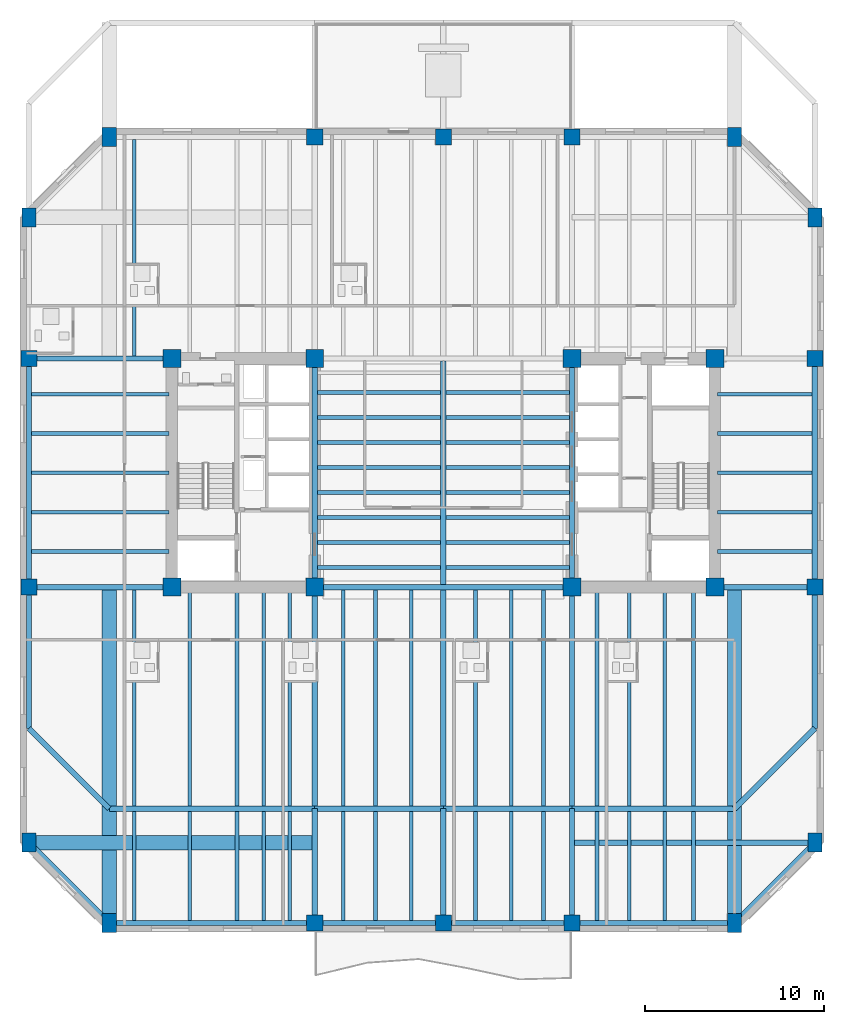
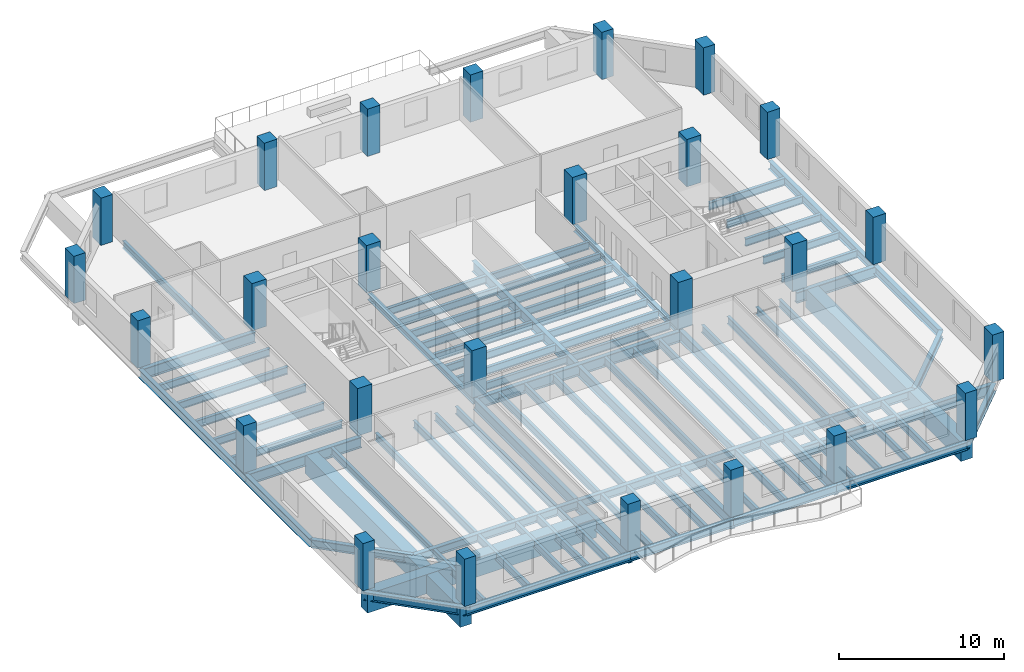
# One storey, part 1 of 11: 75 beams, 26 columns.
"""IFC4 building model written with IfcOpenShell, lengths in metres."""

import ifcopenshell
import ifcopenshell.guid

model = None  # the IFC model being written
_history = None  # IfcOwnerHistory: only IFC2X3 demands one
_inside = {}  # id of a spatial element -> (the spatial element, [elements in it])
_under = {}  # id of a project, library or spatial element -> (it, [spatial elements below it])
_declared = {}  # id of a project -> (the project, [libraries it declares])
_typed = {}  # id of a type object -> (the type object, [elements of that type])
_made_of = {}  # id of a material, layer set ... -> (it, [elements and type objects made of it])


def new_model(schema):
    """Start an empty IFC model of exactly this schema.

    Asked for "IFC4X3", IfcOpenShell would pick the latest addendum, in which some entities
    have other attributes; the version numbers below select the first issue.
    IFC2X3 requires an IfcOwnerHistory on every rooted entity: one is made here for all.
    """
    global model, _history
    if schema == "IFC4X3":
        model = ifcopenshell.file(schema_version=(4, 3, 0, 0))
    else:
        model = ifcopenshell.file(schema=schema)
    _inside.clear()
    _under.clear()
    _declared.clear()
    _typed.clear()
    _made_of.clear()
    _history = None
    if model.schema == "IFC2X3":
        org = make("IfcOrganization", Name="unknown")
        user = make(
            "IfcPersonAndOrganization",
            ThePerson=make("IfcPerson", FamilyName="unknown"),
            TheOrganization=org,
        )
        app = make(
            "IfcApplication",
            ApplicationDeveloper=org,
            Version="unknown",
            ApplicationFullName="unknown",
            ApplicationIdentifier="unknown",
        )
        _history = make(
            "IfcOwnerHistory",
            OwningUser=user,
            OwningApplication=app,
            ChangeAction="ADDED",
            CreationDate=0,
        )
    return model


def make(cls, **values):
    """One entity of the class cls with the attributes given. An attribute that is None is left unset."""
    return model.create_entity(
        cls, **{name: value for name, value in values.items() if value is not None}
    )


def rooted(cls, **values):
    """An entity with a GlobalId (a new one), such as an element, a storey or a relation."""
    return make(cls, GlobalId=ifcopenshell.guid.new(), OwnerHistory=_history, **values)


def si_unit(unit_type, name, prefix=None):
    """IfcSIUnit, for example si_unit("LENGTHUNIT", "METRE", prefix="MILLI")."""
    return make("IfcSIUnit", UnitType=unit_type, Prefix=prefix, Name=name)


def assignment(units):
    """IfcUnitAssignment: the units of a project."""
    return None if units is None else make("IfcUnitAssignment", Units=units)


def point(xyz):
    """IfcCartesianPoint."""
    return None if xyz is None else make("IfcCartesianPoint", Coordinates=xyz)


def direction(xyz):
    """IfcDirection."""
    return None if xyz is None else make("IfcDirection", DirectionRatios=xyz)


def frame(location, z_axis=None, x_axis=None):
    """IfcAxis2Placement3D, a coordinate frame: its origin and axes. An axis left out is left unset."""
    return make(
        "IfcAxis2Placement3D",
        Location=point(location),
        Axis=direction(z_axis),
        RefDirection=direction(x_axis),
    )


def frame_2d(location, x_axis=None):
    """IfcAxis2Placement2D, a coordinate frame in the plane: its origin and x axis."""
    return make(
        "IfcAxis2Placement2D", Location=point(location), RefDirection=direction(x_axis)
    )


def origin():
    """The frame at (0, 0, 0) with its axes left unset."""
    return frame((0.0, 0.0, 0.0))


def origin_2d():
    """The frame at (0, 0) in the plane with its x axis left unset."""
    return frame_2d((0.0, 0.0))


def place(relative_to, where):
    """IfcLocalPlacement: puts the frame where relative to a parent placement (None: the world)."""
    return make(
        "IfcLocalPlacement", PlacementRelTo=relative_to, RelativePlacement=where
    )


def context(
    kind, dimensions, precision=None, world=None, true_north=None, identifier=None
):
    """IfcGeometricRepresentationContext, for example the 3D "Model" context."""
    return make(
        "IfcGeometricRepresentationContext",
        ContextIdentifier=identifier,
        ContextType=kind,
        CoordinateSpaceDimension=dimensions,
        Precision=precision,
        WorldCoordinateSystem=world,
        TrueNorth=true_north,
    )


def subcontext(parent, identifier, kind, view, scale=None):
    """IfcGeometricRepresentationSubContext, for example "Body" below "Model"."""
    return make(
        "IfcGeometricRepresentationSubContext",
        ContextIdentifier=identifier,
        ContextType=kind,
        ParentContext=parent,
        TargetScale=scale,
        TargetView=view,
    )


def project(units=None, contexts=None):
    """IfcProject with its units and contexts."""
    return rooted(
        "IfcProject",
        Name="project",
        RepresentationContexts=contexts,
        UnitsInContext=assignment(units),
    )


def spatial(cls, under=None, at=None, **own):
    """A site, building, storey or space (cls), placed at a placement, below another one or the project."""
    s = rooted(cls, ObjectPlacement=at, **own)
    if under is not None:
        _under.setdefault(under.id(), (under, []))[1].append(s)
    return s


def profile(cls, at=None, kind="AREA", **sizes):
    """A parametric profile (cls). Its sizes go by their IFC names, for example OverallWidth=200.0."""
    return make(cls, ProfileType=kind, Position=at, **sizes)


def rectangle(**sizes):
    """IfcRectangleProfileDef."""
    return profile("IfcRectangleProfileDef", **sizes)


def i_section(**sizes):
    """IfcIShapeProfileDef."""
    return profile("IfcIShapeProfileDef", **sizes)


def extrude(swept, where, along, depth):
    """IfcExtrudedAreaSolid: the profile swept, set in the frame where, extruded along a direction by depth."""
    return make(
        "IfcExtrudedAreaSolid",
        SweptArea=swept,
        Position=where,
        ExtrudedDirection=direction(along),
        Depth=depth,
    )


def shape(context_of_items, identifier, shape_type, items):
    """IfcShapeRepresentation: the items that make up one representation, for example the "Body"."""
    return make(
        "IfcShapeRepresentation",
        ContextOfItems=context_of_items,
        RepresentationIdentifier=identifier,
        RepresentationType=shape_type,
        Items=items,
    )


def material(Name=None, Category=None):
    """IfcMaterial."""
    return make("IfcMaterial", Name=Name, Category=Category)


def material_profile(
    of_material, cross_section, Name=None, Category=None, Priority=None
):
    """IfcMaterialProfile: a cross section and its material."""
    return make(
        "IfcMaterialProfile",
        Name=Name,
        Material=of_material,
        Profile=cross_section,
        Priority=Priority,
        Category=Category,
    )


def profile_set(profiles, Name=None, composite=None):
    """IfcMaterialProfileSet."""
    return make(
        "IfcMaterialProfileSet",
        Name=Name,
        MaterialProfiles=profiles,
        CompositeProfile=composite,
    )


def made_of(thing, what):
    """Note that an element or type object is made of a material, layer set ...; save() writes the relation."""
    if what is not None:
        _made_of.setdefault(what.id(), (what, []))[1].append(thing)
    return thing


def type_object(cls, material=None, **own):
    """A type object (cls), such as IfcWallType, which elements share."""
    return made_of(rooted(cls, **own), material)


def element(
    cls,
    number,
    at=None,
    inside=None,
    cuts=None,
    type_object=None,
    material=None,
    context=None,
    identifier="Body",
    shape_type=None,
    held_by="IfcProductDefinitionShape",
    body=None,
    shapes=None,
    **own,
):
    """One element of the class cls, such as IfcWall. Its Tag is "e" and its number.

    at: its placement. inside: the storey or other place that contains it. cuts: it is an
    opening in that element (IfcRelVoidsElement). A single representation is given by context,
    identifier, shape_type and body (its items); several are given by shapes. held_by: the class
    of the entity that holds the representations. save() writes the other relations.
    """
    e = rooted(cls, Tag="e%d" % number, ObjectPlacement=at, **own)
    if body is not None:
        shapes = [shape(context, identifier, shape_type, body)]
    if shapes is not None:
        e.Representation = make(held_by, Representations=shapes)
    if inside is not None:
        _inside.setdefault(inside.id(), (inside, []))[1].append(e)
    if cuts is not None:
        rooted(
            "IfcRelVoidsElement", RelatingBuildingElement=cuts, RelatedOpeningElement=e
        )
    if type_object is not None:
        _typed.setdefault(type_object.id(), (type_object, []))[1].append(e)
    return made_of(e, material)


def aggregate(whole, parts):
    """IfcRelAggregates: a whole, such as a stair, and the parts it consists of."""
    return rooted("IfcRelAggregates", RelatingObject=whole, RelatedObjects=parts)


def save(model, path):
    """Write the relations noted so far, then the file.

    IfcRelAggregates (storeys below a building ...), IfcRelContainedInSpatialStructure (elements
    in a storey), IfcRelDefinesByType, IfcRelAssociatesMaterial and IfcRelDeclares: one each for
    every whole, place, type object, material and project.
    """
    for whole, parts in _under.values():
        aggregate(whole, parts)
    for where, things in _inside.values():
        rooted(
            "IfcRelContainedInSpatialStructure",
            RelatedElements=things,
            RelatingStructure=where,
        )
    for kind, things in _typed.values():
        rooted("IfcRelDefinesByType", RelatedObjects=things, RelatingType=kind)
    for what, things in _made_of.values():
        rooted("IfcRelAssociatesMaterial", RelatedObjects=things, RelatingMaterial=what)
    for by, libraries in _declared.values():
        rooted("IfcRelDeclares", RelatingContext=by, RelatedDefinitions=libraries)
    model.write(path)


model = new_model("IFC4")

# Units and contexts
model_context = context("Model", 3, precision=1e-05, world=origin(), true_north=direction((0.0, 1.0)))
body_context = subcontext(model_context, "Body", "Model", "MODEL_VIEW")
ifc_project = project(units=[si_unit("LENGTHUNIT", "METRE"), si_unit("AREAUNIT", "SQUARE_METRE"), si_unit("VOLUMEUNIT", "CUBIC_METRE"), si_unit("PLANEANGLEUNIT", "RADIAN"), si_unit("MASSUNIT", "GRAM", prefix="KILO")], contexts=[model_context])

# Site, building, storey
site_placement = place(None, origin())
site = spatial("IfcSite", under=ifc_project, at=site_placement, CompositionType="ELEMENT")
building_placement = place(site_placement, origin())
building = spatial("IfcBuilding", under=site, at=building_placement, Name="Kranthara Brick Stack", CompositionType="ELEMENT")
storey_placement = place(building_placement, frame((0.0, 0.0, 120.300048828125)))
storey = spatial("IfcBuildingStorey", under=building, at=storey_placement, Name="L29", CompositionType="ELEMENT", Elevation=120.300048828125)

# Columns
ifc_material_1 = material(Name="Concrete C60/75", Category="concrete")
ifc_material_profile_1 = material_profile(ifc_material_1, rectangle(XDim=0.800048828125, YDim=1.050048828125, at=origin_2d()), Name="RC 800x1050")
ifc_profile_set_1 = profile_set([ifc_material_profile_1], Name="Concrete C60/75")
column_type_1 = type_object("IfcColumnType", Name="COL-CHAM-800x1050", PredefinedType="COLUMN", material=ifc_profile_set_1)
for number, where, z_axis, x_axis, name in (
    (1, (9.300048828125, 2.0, 0.0), (0.0, 0.0, 1.0), (1.0, 0.0, 0.0), "L29 Column 09"),
    (2, (9.300048828125, 46.0, 0.0), (0.0, 0.0, 1.0), (1.0, 0.0, 0.0), "L29 Column 10"),
    (3, (44.300048828125, 2.0, 0.0), (0.0, 0.0, 1.0), (1.0, 0.0, 0.0), "L29 Column 17"),
    (4, (44.300048828125, 46.0, 0.0), (0.0, 0.0, 1.0), (1.0, 0.0, 0.0), "L29 Column 18"),
    (5, (4.800048828125, 6.5, 0.0), (0.0, 0.0, 1.0), (1.0, 0.0, 0.0), "L29 Column 19"),
    (6, (48.800048828125, 6.5, 0.0), (0.0, 0.0, 1.0), (1.0, 0.0, 0.0), "L29 Column 20"),
    (7, (4.800048828125, 41.5, 0.0), (0.0, 0.0, 1.0), (1.0, 0.0, 0.0), "L29 Column 25"),
    (8, (48.800048828125, 41.5, 0.0), (0.0, 0.0, 1.0), (1.0, 0.0, 0.0), "L29 Column 26"),
):
    element("IfcColumn", number, at=place(storey_placement, frame(where, z_axis=z_axis, x_axis=x_axis)), inside=storey, type_object=column_type_1, Name=name, PredefinedType="COLUMN", context=body_context, shape_type="SweptSolid", body=[
        extrude(rectangle(XDim=0.800048828125, YDim=1.050048828125, at=origin_2d()), origin(), (0.0, 0.0, 1.0), 3.5),
    ])
ifc_material_2 = material(Name="Concrete C60/75", Category="concrete")
ifc_material_profile_2 = material_profile(ifc_material_2, rectangle(XDim=1.0, YDim=1.0, at=origin_2d()), Name="RC 1000x1000")
ifc_profile_set_2 = profile_set([ifc_material_profile_2], Name="Concrete C60/75")
column_type_2 = type_object("IfcColumnType", Name="COL-CORE-1000", PredefinedType="COLUMN", material=ifc_profile_set_2)
for number, where, z_axis, x_axis, name in (
    (9, (12.800048828125, 20.800048828125, 0.0), (0.0, 0.0, 1.0), (1.0, 0.0, 0.0), "L29 Column 01"),
    (10, (20.800048828125, 20.800048828125, 0.0), (0.0, 0.0, 1.0), (1.0, 0.0, 0.0), "L29 Column 02"),
    (11, (12.800048828125, 33.60009765625, 0.0), (0.0, 0.0, 1.0), (1.0, 0.0, 0.0), "L29 Column 03"),
    (12, (20.800048828125, 33.60009765625, 0.0), (0.0, 0.0, 1.0), (1.0, 0.0, 0.0), "L29 Column 04"),
    (13, (35.199951171875, 20.800048828125, 0.0), (0.0, 0.0, 1.0), (1.0, 0.0, 0.0), "L29 Column 05"),
    (14, (43.199951171875, 20.800048828125, 0.0), (0.0, 0.0, 1.0), (1.0, 0.0, 0.0), "L29 Column 06"),
    (15, (35.199951171875, 33.60009765625, 0.0), (0.0, 0.0, 1.0), (1.0, 0.0, 0.0), "L29 Column 07"),
    (16, (43.199951171875, 33.60009765625, 0.0), (0.0, 0.0, 1.0), (1.0, 0.0, 0.0), "L29 Column 08"),
):
    element("IfcColumn", number, at=place(storey_placement, frame(where, z_axis=z_axis, x_axis=x_axis)), inside=storey, type_object=column_type_2, Name=name, PredefinedType="COLUMN", context=body_context, shape_type="SweptSolid", body=[
        extrude(rectangle(XDim=1.0, YDim=1.0, at=origin_2d()), origin(), (0.0, 0.0, 1.0), 3.5),
    ])
ifc_material_3 = material(Name="Concrete C60/75", Category="concrete")
ifc_material_profile_3 = material_profile(ifc_material_3, rectangle(XDim=0.89990234375, YDim=0.89990234375, at=origin_2d()), Name="RC 900x900")
ifc_profile_set_3 = profile_set([ifc_material_profile_3], Name="Concrete C60/75")
column_type_3 = type_object("IfcColumnType", Name="COL-PER-900", PredefinedType="COLUMN", material=ifc_profile_set_3)
for number, where, z_axis, x_axis, name in (
    (17, (20.800048828125, 2.0, 0.0), (0.0, 0.0, 1.0), (1.0, 0.0, 0.0), "L29 Column 11"),
    (18, (20.800048828125, 46.0, 0.0), (0.0, 0.0, 1.0), (1.0, 0.0, 0.0), "L29 Column 12"),
    (19, (28.0, 2.0, 0.0), (0.0, 0.0, 1.0), (1.0, 0.0, 0.0), "L29 Column 13"),
    (20, (28.0, 46.0, 0.0), (0.0, 0.0, 1.0), (1.0, 0.0, 0.0), "L29 Column 14"),
    (21, (35.199951171875, 2.0, 0.0), (0.0, 0.0, 1.0), (1.0, 0.0, 0.0), "L29 Column 15"),
    (22, (35.199951171875, 46.0, 0.0), (0.0, 0.0, 1.0), (1.0, 0.0, 0.0), "L29 Column 16"),
    (23, (4.800048828125, 20.800048828125, 0.0), (0.0, 0.0, 1.0), (1.0, 0.0, 0.0), "L29 Column 21"),
    (24, (48.800048828125, 20.800048828125, 0.0), (0.0, 0.0, 1.0), (1.0, 0.0, 0.0), "L29 Column 22"),
    (25, (4.800048828125, 33.60009765625, 0.0), (0.0, 0.0, 1.0), (1.0, 0.0, 0.0), "L29 Column 23"),
    (26, (48.800048828125, 33.60009765625, 0.0), (0.0, 0.0, 1.0), (1.0, 0.0, 0.0), "L29 Column 24"),
):
    element("IfcColumn", number, at=place(storey_placement, frame(where, z_axis=z_axis, x_axis=x_axis)), inside=storey, type_object=column_type_3, Name=name, PredefinedType="COLUMN", context=body_context, shape_type="SweptSolid", body=[
        extrude(rectangle(XDim=0.89990234375, YDim=0.89990234375, at=origin_2d()), origin(), (0.0, 0.0, 1.0), 3.5),
    ])

# Beams
ifc_material_4 = material(Name="Steel S355", Category="steel")
ifc_material_profile_4 = material_profile(ifc_material_4, i_section(OverallWidth=0.2099609375, OverallDepth=0.550048828125, WebThickness=0.010986328125, FlangeThickness=0.01708984375, at=origin_2d()), Name="IPE 550")
ifc_profile_set_4 = profile_set([ifc_material_profile_4], Name="Steel S355")
beam_type_1 = type_object("IfcBeamType", Name="BM-JST-IPE550", PredefinedType="JOIST", material=ifc_profile_set_4)
for number, where, z_axis, x_axis, name in (
    (27, (20.949951171875, 21.89990234375, -0.72509765625), (1.0, 0.0, 0.0), (0.0, 1.0, 0.0), "L29 Central Floor Joist 057"),
    (28, (28.14990234375, 21.89990234375, -0.72509765625), (1.0, 0.0, 0.0), (0.0, 1.0, 0.0), "L29 Central Floor Joist 058"),
    (29, (20.949951171875, 23.300048828125, -0.72509765625), (1.0, 0.0, 0.0), (0.0, 1.0, 0.0), "L29 Central Floor Joist 059"),
    (30, (28.14990234375, 23.300048828125, -0.72509765625), (1.0, 0.0, 0.0), (0.0, 1.0, 0.0), "L29 Central Floor Joist 060"),
    (31, (20.949951171875, 24.699951171875, -0.72509765625), (1.0, 0.0, 0.0), (0.0, 1.0, 0.0), "L29 Central Floor Joist 061"),
    (32, (28.14990234375, 24.699951171875, -0.72509765625), (1.0, 0.0, 0.0), (0.0, 1.0, 0.0), "L29 Central Floor Joist 062"),
    (33, (20.949951171875, 26.10009765625, -0.72509765625), (1.0, 0.0, 0.0), (0.0, 1.0, 0.0), "L29 Central Floor Joist 063"),
    (34, (28.14990234375, 26.10009765625, -0.72509765625), (1.0, 0.0, 0.0), (0.0, 1.0, 0.0), "L29 Central Floor Joist 064"),
    (35, (20.949951171875, 27.5, -0.72509765625), (1.0, 0.0, 0.0), (0.0, 1.0, 0.0), "L29 Central Floor Joist 065"),
    (36, (28.14990234375, 27.5, -0.72509765625), (1.0, 0.0, 0.0), (0.0, 1.0, 0.0), "L29 Central Floor Joist 066"),
    (37, (20.949951171875, 28.89990234375, -0.72509765625), (1.0, 0.0, 0.0), (0.0, 1.0, 0.0), "L29 Central Floor Joist 067"),
    (38, (28.14990234375, 28.89990234375, -0.72509765625), (1.0, 0.0, 0.0), (0.0, 1.0, 0.0), "L29 Central Floor Joist 068"),
    (39, (20.949951171875, 30.300048828125, -0.72509765625), (1.0, 0.0, 0.0), (0.0, 1.0, 0.0), "L29 Central Floor Joist 069"),
    (40, (28.14990234375, 30.300048828125, -0.72509765625), (1.0, 0.0, 0.0), (0.0, 1.0, 0.0), "L29 Central Floor Joist 070"),
    (41, (20.949951171875, 31.699951171875, -0.72509765625), (1.0, 0.0, 0.0), (0.0, 1.0, 0.0), "L29 Central Floor Joist 071"),
    (42, (28.14990234375, 31.699951171875, -0.72509765625), (1.0, 0.0, 0.0), (0.0, 1.0, 0.0), "L29 Central Floor Joist 072"),
):
    element("IfcBeam", number, at=place(storey_placement, frame(where, z_axis=z_axis, x_axis=x_axis)), inside=storey, type_object=beam_type_1, Name=name, PredefinedType="JOIST", context=body_context, shape_type="SweptSolid", body=[
        extrude(i_section(OverallWidth=0.2099609375, OverallDepth=0.550048828125, WebThickness=0.010986328125, FlangeThickness=0.01708984375, at=origin_2d()), origin(), (0.0, 0.0, 1.0), 6.900146484375),
    ])
beam_1_placement = place(storey_placement, frame((10.699951171875, 2.14990234375, -0.72509765625), z_axis=(0.0, 1.0, 0.0), x_axis=(-1.0, 0.0, 0.0)))
element("IfcBeam", 43, at=beam_1_placement, inside=storey, type_object=beam_type_1, Name="L29 South Wing Floor Joist 075", PredefinedType="JOIST", context=body_context, shape_type="SweptSolid", body=[
    extrude(i_section(OverallWidth=0.2099609375, OverallDepth=0.550048828125, WebThickness=0.010986328125, FlangeThickness=0.01708984375, at=origin_2d()), origin(), (0.0, 0.0, 1.0), 18.5),
])
beam_2_placement = place(storey_placement, frame((10.699951171875, 33.75, -0.72509765625), z_axis=(0.0, 1.0, 0.0), x_axis=(-1.0, 0.0, 0.0)))
element("IfcBeam", 44, at=beam_2_placement, inside=storey, type_object=beam_type_1, Name="L29 North Wing Floor Joist 076", PredefinedType="JOIST", context=body_context, shape_type="SweptSolid", body=[
    extrude(i_section(OverallWidth=0.2099609375, OverallDepth=0.550048828125, WebThickness=0.010986328125, FlangeThickness=0.01708984375, at=origin_2d()), origin(), (0.0, 0.0, 1.0), 12.10009765625),
])
for number, where, z_axis, x_axis, name in (
    (45, (13.800048828125, 2.14990234375, -0.72509765625), (0.0, 1.0, 0.0), (-1.0, 0.0, 0.0), "L29 South Wing Floor Joist 077"),
    (46, (16.449951171875, 2.14990234375, -0.72509765625), (0.0, 1.0, 0.0), (-1.0, 0.0, 0.0), "L29 South Wing Floor Joist 079"),
    (47, (17.949951171875, 2.14990234375, -0.72509765625), (0.0, 1.0, 0.0), (-1.0, 0.0, 0.0), "L29 South Wing Floor Joist 081"),
    (48, (19.39990234375, 2.14990234375, -0.72509765625), (0.0, 1.0, 0.0), (-1.0, 0.0, 0.0), "L29 South Wing Floor Joist 083"),
    (49, (22.39990234375, 2.14990234375, -0.72509765625), (0.0, 1.0, 0.0), (-1.0, 0.0, 0.0), "L29 South Wing Floor Joist 085"),
    (50, (24.199951171875, 2.14990234375, -0.72509765625), (0.0, 1.0, 0.0), (-1.0, 0.0, 0.0), "L29 South Wing Floor Joist 087"),
    (51, (26.199951171875, 2.14990234375, -0.72509765625), (0.0, 1.0, 0.0), (-1.0, 0.0, 0.0), "L29 South Wing Floor Joist 089"),
    (52, (29.800048828125, 2.14990234375, -0.72509765625), (0.0, 1.0, 0.0), (-1.0, 0.0, 0.0), "L29 South Wing Floor Joist 091"),
    (53, (31.800048828125, 2.14990234375, -0.72509765625), (0.0, 1.0, 0.0), (-1.0, 0.0, 0.0), "L29 South Wing Floor Joist 093"),
    (54, (33.60009765625, 2.14990234375, -0.72509765625), (0.0, 1.0, 0.0), (-1.0, 0.0, 0.0), "L29 South Wing Floor Joist 095"),
    (55, (36.60009765625, 2.14990234375, -0.72509765625), (0.0, 1.0, 0.0), (-1.0, 0.0, 0.0), "L29 South Wing Floor Joist 097"),
    (56, (38.39990234375, 2.14990234375, -0.72509765625), (0.0, 1.0, 0.0), (-1.0, 0.0, 0.0), "L29 South Wing Floor Joist 099"),
    (57, (40.39990234375, 2.14990234375, -0.72509765625), (0.0, 1.0, 0.0), (-1.0, 0.0, 0.0), "L29 South Wing Floor Joist 101"),
    (58, (42.0, 2.14990234375, -0.72509765625), (0.0, 1.0, 0.0), (-1.0, 0.0, 0.0), "L29 South Wing Floor Joist 103"),
):
    element("IfcBeam", number, at=place(storey_placement, frame(where, z_axis=z_axis, x_axis=x_axis)), inside=storey, type_object=beam_type_1, Name=name, PredefinedType="JOIST", context=body_context, shape_type="SweptSolid", body=[
        extrude(i_section(OverallWidth=0.2099609375, OverallDepth=0.550048828125, WebThickness=0.010986328125, FlangeThickness=0.01708984375, at=origin_2d()), origin(), (0.0, 0.0, 1.0), 18.5),
    ])
beam_3_placement = place(storey_placement, frame((4.949951171875, 22.800048828125, -0.72509765625), z_axis=(1.0, 0.0, 0.0), x_axis=(0.0, 1.0, 0.0)))
element("IfcBeam", 59, at=beam_3_placement, inside=storey, type_object=beam_type_1, Name="L29 West Wing Floor Joist 105", PredefinedType="JOIST", context=body_context, shape_type="SweptSolid", body=[
    extrude(i_section(OverallWidth=0.2099609375, OverallDepth=0.550048828125, WebThickness=0.010986328125, FlangeThickness=0.01708984375, at=origin_2d()), origin(), (0.0, 0.0, 1.0), 7.699951171875),
])
beam_4_placement = place(storey_placement, frame((43.35009765625, 22.800048828125, -0.72509765625), z_axis=(1.0, 0.0, 0.0), x_axis=(0.0, 1.0, 0.0)))
element("IfcBeam", 60, at=beam_4_placement, inside=storey, type_object=beam_type_1, Name="L29 East Wing Floor Joist 106", PredefinedType="JOIST", context=body_context, shape_type="SweptSolid", body=[
    extrude(i_section(OverallWidth=0.2099609375, OverallDepth=0.550048828125, WebThickness=0.010986328125, FlangeThickness=0.01708984375, at=origin_2d()), origin(), (0.0, 0.0, 1.0), 5.2998046875),
])
beam_5_placement = place(storey_placement, frame((4.949951171875, 25.0, -0.72509765625), z_axis=(1.0, 0.0, 0.0), x_axis=(0.0, 1.0, 0.0)))
element("IfcBeam", 61, at=beam_5_placement, inside=storey, type_object=beam_type_1, Name="L29 West Wing Floor Joist 107", PredefinedType="JOIST", context=body_context, shape_type="SweptSolid", body=[
    extrude(i_section(OverallWidth=0.2099609375, OverallDepth=0.550048828125, WebThickness=0.010986328125, FlangeThickness=0.01708984375, at=origin_2d()), origin(), (0.0, 0.0, 1.0), 7.699951171875),
])
beam_6_placement = place(storey_placement, frame((43.35009765625, 25.0, -0.72509765625), z_axis=(1.0, 0.0, 0.0), x_axis=(0.0, 1.0, 0.0)))
element("IfcBeam", 62, at=beam_6_placement, inside=storey, type_object=beam_type_1, Name="L29 East Wing Floor Joist 108", PredefinedType="JOIST", context=body_context, shape_type="SweptSolid", body=[
    extrude(i_section(OverallWidth=0.2099609375, OverallDepth=0.550048828125, WebThickness=0.010986328125, FlangeThickness=0.01708984375, at=origin_2d()), origin(), (0.0, 0.0, 1.0), 5.2998046875),
])
beam_7_placement = place(storey_placement, frame((4.949951171875, 27.199951171875, -0.72509765625), z_axis=(1.0, 0.0, 0.0), x_axis=(0.0, 1.0, 0.0)))
element("IfcBeam", 63, at=beam_7_placement, inside=storey, type_object=beam_type_1, Name="L29 West Wing Floor Joist 109", PredefinedType="JOIST", context=body_context, shape_type="SweptSolid", body=[
    extrude(i_section(OverallWidth=0.2099609375, OverallDepth=0.550048828125, WebThickness=0.010986328125, FlangeThickness=0.01708984375, at=origin_2d()), origin(), (0.0, 0.0, 1.0), 7.699951171875),
])
beam_8_placement = place(storey_placement, frame((43.35009765625, 27.199951171875, -0.72509765625), z_axis=(1.0, 0.0, 0.0), x_axis=(0.0, 1.0, 0.0)))
element("IfcBeam", 64, at=beam_8_placement, inside=storey, type_object=beam_type_1, Name="L29 East Wing Floor Joist 110", PredefinedType="JOIST", context=body_context, shape_type="SweptSolid", body=[
    extrude(i_section(OverallWidth=0.2099609375, OverallDepth=0.550048828125, WebThickness=0.010986328125, FlangeThickness=0.01708984375, at=origin_2d()), origin(), (0.0, 0.0, 1.0), 5.2998046875),
])
beam_9_placement = place(storey_placement, frame((4.949951171875, 29.39990234375, -0.72509765625), z_axis=(1.0, 0.0, 0.0), x_axis=(0.0, 1.0, 0.0)))
element("IfcBeam", 65, at=beam_9_placement, inside=storey, type_object=beam_type_1, Name="L29 West Wing Floor Joist 111", PredefinedType="JOIST", context=body_context, shape_type="SweptSolid", body=[
    extrude(i_section(OverallWidth=0.2099609375, OverallDepth=0.550048828125, WebThickness=0.010986328125, FlangeThickness=0.01708984375, at=origin_2d()), origin(), (0.0, 0.0, 1.0), 7.699951171875),
])
beam_10_placement = place(storey_placement, frame((43.35009765625, 29.39990234375, -0.72509765625), z_axis=(1.0, 0.0, 0.0), x_axis=(0.0, 1.0, 0.0)))
element("IfcBeam", 66, at=beam_10_placement, inside=storey, type_object=beam_type_1, Name="L29 East Wing Floor Joist 112", PredefinedType="JOIST", context=body_context, shape_type="SweptSolid", body=[
    extrude(i_section(OverallWidth=0.2099609375, OverallDepth=0.550048828125, WebThickness=0.010986328125, FlangeThickness=0.01708984375, at=origin_2d()), origin(), (0.0, 0.0, 1.0), 5.2998046875),
])
beam_11_placement = place(storey_placement, frame((4.949951171875, 31.60009765625, -0.72509765625), z_axis=(1.0, 0.0, 0.0), x_axis=(0.0, 1.0, 0.0)))
element("IfcBeam", 67, at=beam_11_placement, inside=storey, type_object=beam_type_1, Name="L29 West Wing Floor Joist 113", PredefinedType="JOIST", context=body_context, shape_type="SweptSolid", body=[
    extrude(i_section(OverallWidth=0.2099609375, OverallDepth=0.550048828125, WebThickness=0.010986328125, FlangeThickness=0.01708984375, at=origin_2d()), origin(), (0.0, 0.0, 1.0), 7.699951171875),
])
beam_12_placement = place(storey_placement, frame((43.35009765625, 31.60009765625, -0.72509765625), z_axis=(1.0, 0.0, 0.0), x_axis=(0.0, 1.0, 0.0)))
element("IfcBeam", 68, at=beam_12_placement, inside=storey, type_object=beam_type_1, Name="L29 East Wing Floor Joist 114", PredefinedType="JOIST", context=body_context, shape_type="SweptSolid", body=[
    extrude(i_section(OverallWidth=0.2099609375, OverallDepth=0.550048828125, WebThickness=0.010986328125, FlangeThickness=0.01708984375, at=origin_2d()), origin(), (0.0, 0.0, 1.0), 5.2998046875),
])
ifc_material_5 = material(Name="Steel S355", Category="steel")
ifc_material_profile_5 = material_profile(ifc_material_5, i_section(OverallWidth=0.300048828125, OverallDepth=0.449951171875, WebThickness=0.013916015625, FlangeThickness=0.02587890625, at=origin_2d()), Name="HEB 450")
ifc_profile_set_5 = profile_set([ifc_material_profile_5], Name="Steel S355")
beam_type_2 = type_object("IfcBeamType", Name="BM-STL-HEB450", PredefinedType="SPANDREL", material=ifc_profile_set_5)
for number, where, z_axis, x_axis, name in (
    (69, (20.800048828125, 20.800048828125, -0.675048828125), (0.0, 1.0, 0.0), (-1.0, 0.0, 0.0), "L29 Core Edge Tie Beam 003"),
    (70, (35.199951171875, 20.800048828125, -0.675048828125), (0.0, 1.0, 0.0), (-1.0, 0.0, 0.0), "L29 Core Edge Tie Beam 004"),
):
    element("IfcBeam", number, at=place(storey_placement, frame(where, z_axis=z_axis, x_axis=x_axis)), inside=storey, type_object=beam_type_2, Name=name, PredefinedType="SPANDREL", context=body_context, shape_type="SweptSolid", body=[
        extrude(i_section(OverallWidth=0.300048828125, OverallDepth=0.449951171875, WebThickness=0.013916015625, FlangeThickness=0.02587890625, at=origin_2d()), origin(), (0.0, 0.0, 1.0), 12.800048828125),
    ])
ifc_material_6 = material(Name="Steel S355", Category="steel")
ifc_material_profile_6 = material_profile(ifc_material_6, i_section(OverallWidth=0.300048828125, OverallDepth=0.60009765625, WebThickness=0.015380859375, FlangeThickness=0.030029296875, at=origin_2d()), Name="HEB 600")
ifc_profile_set_6 = profile_set([ifc_material_profile_6], Name="Steel S355")
beam_type_3 = type_object("IfcBeamType", Name="BM-STL-HEB600", PredefinedType="BEAM", material=ifc_profile_set_6)
beam_13_placement = place(storey_placement, frame((9.300048828125, 8.39990234375, -0.75), z_axis=(1.0, 0.0, 0.0), x_axis=(0.0, 1.0, 0.0)))
element("IfcBeam", 71, at=beam_13_placement, inside=storey, type_object=beam_type_3, Name="L29 Perimeter Spandrel Beam 005", PredefinedType="BEAM", context=body_context, shape_type="SweptSolid", body=[
    extrude(i_section(OverallWidth=0.300048828125, OverallDepth=0.60009765625, WebThickness=0.015380859375, FlangeThickness=0.030029296875, at=origin_2d()), origin(), (0.0, 0.0, 1.0), 11.5),
])
for number, where, z_axis, x_axis, name in (
    (72, (20.800048828125, 8.39990234375, -0.75), (1.0, 0.0, 0.0), (0.0, 1.0, 0.0), "L29 Perimeter Spandrel Beam 006"),
    (73, (28.0, 8.39990234375, -0.75), (1.0, 0.0, 0.0), (0.0, 1.0, 0.0), "L29 Perimeter Spandrel Beam 007"),
):
    element("IfcBeam", number, at=place(storey_placement, frame(where, z_axis=z_axis, x_axis=x_axis)), inside=storey, type_object=beam_type_3, Name=name, PredefinedType="BEAM", context=body_context, shape_type="SweptSolid", body=[
        extrude(i_section(OverallWidth=0.300048828125, OverallDepth=0.60009765625, WebThickness=0.015380859375, FlangeThickness=0.030029296875, at=origin_2d()), origin(), (0.0, 0.0, 1.0), 7.199951171875),
    ])
beam_14_placement = place(storey_placement, frame((35.199951171875, 8.39990234375, -0.75), z_axis=(1.0, 0.0, 0.0), x_axis=(0.0, 1.0, 0.0)))
element("IfcBeam", 74, at=beam_14_placement, inside=storey, type_object=beam_type_3, Name="L29 Perimeter Spandrel Beam 008", PredefinedType="BEAM", context=body_context, shape_type="SweptSolid", body=[
    extrude(i_section(OverallWidth=0.300048828125, OverallDepth=0.60009765625, WebThickness=0.015380859375, FlangeThickness=0.030029296875, at=origin_2d()), origin(), (0.0, 0.0, 1.0), 9.10009765625),
])
beam_15_placement = place(storey_placement, frame((4.800048828125, 12.89990234375, -0.75), z_axis=(0.0, 1.0, 0.0), x_axis=(-1.0, 0.0, 0.0)))
element("IfcBeam", 75, at=beam_15_placement, inside=storey, type_object=beam_type_3, Name="L29 Perimeter Spandrel Beam 013", PredefinedType="BEAM", context=body_context, shape_type="SweptSolid", body=[
    extrude(i_section(OverallWidth=0.300048828125, OverallDepth=0.60009765625, WebThickness=0.015380859375, FlangeThickness=0.030029296875, at=origin_2d()), origin(), (0.0, 0.0, 1.0), 7.900146484375),
])
beam_16_placement = place(storey_placement, frame((4.800048828125, 20.800048828125, -0.75), z_axis=(0.0, 1.0, 0.0), x_axis=(-1.0, 0.0, 0.0)))
element("IfcBeam", 76, at=beam_16_placement, inside=storey, type_object=beam_type_3, Name="L29 Perimeter Spandrel Beam 014", PredefinedType="BEAM", context=body_context, shape_type="SweptSolid", body=[
    extrude(i_section(OverallWidth=0.300048828125, OverallDepth=0.60009765625, WebThickness=0.015380859375, FlangeThickness=0.030029296875, at=origin_2d()), origin(), (0.0, 0.0, 1.0), 12.800048828125),
])
beam_17_placement = place(storey_placement, frame((48.800048828125, 12.89990234375, -0.75), z_axis=(0.0, 1.0, 0.0), x_axis=(-1.0, 0.0, 0.0)))
element("IfcBeam", 77, at=beam_17_placement, inside=storey, type_object=beam_type_3, Name="L29 Perimeter Spandrel Beam 016", PredefinedType="BEAM", context=body_context, shape_type="SweptSolid", body=[
    extrude(i_section(OverallWidth=0.300048828125, OverallDepth=0.60009765625, WebThickness=0.015380859375, FlangeThickness=0.030029296875, at=origin_2d()), origin(), (0.0, 0.0, 1.0), 7.900146484375),
])
beam_18_placement = place(storey_placement, frame((48.800048828125, 20.800048828125, -0.75), z_axis=(0.0, 1.0, 0.0), x_axis=(-1.0, 0.0, 0.0)))
element("IfcBeam", 78, at=beam_18_placement, inside=storey, type_object=beam_type_3, Name="L29 Perimeter Spandrel Beam 017", PredefinedType="BEAM", context=body_context, shape_type="SweptSolid", body=[
    extrude(i_section(OverallWidth=0.300048828125, OverallDepth=0.60009765625, WebThickness=0.015380859375, FlangeThickness=0.030029296875, at=origin_2d()), origin(), (0.0, 0.0, 1.0), 12.800048828125),
])
for number, where, z_axis, x_axis, name in (
    (79, (9.300048828125, 8.39990234375, -0.75), (-0.707106781187, 0.707106781187, 0.0), (-0.707106781187, -0.707106781187, 0.0), "L29 Chamfer Corner Spandrel 019"),
    (80, (44.300048828125, 8.39990234375, -0.75), (0.707106781187, 0.707106781187, 0.0), (-0.707106781187, 0.707106781187, 0.0), "L29 Chamfer Corner Spandrel 020"),
):
    element("IfcBeam", number, at=place(storey_placement, frame(where, z_axis=z_axis, x_axis=x_axis)), inside=storey, type_object=beam_type_3, Name=name, PredefinedType="BEAM", context=body_context, shape_type="SweptSolid", body=[
        extrude(i_section(OverallWidth=0.300048828125, OverallDepth=0.60009765625, WebThickness=0.015380859375, FlangeThickness=0.030029296875, at=origin_2d()), origin(), (0.0, 0.0, 1.0), 6.364013671875),
    ])
beam_19_placement = place(storey_placement, frame((9.300048828125, 2.0, -0.75), z_axis=(1.0, 0.0, 0.0), x_axis=(0.0, 1.0, 0.0)))
element("IfcBeam", 81, at=beam_19_placement, inside=storey, type_object=beam_type_3, Name="L29 Perimeter Spandrel Beam 023", PredefinedType="BEAM", context=body_context, shape_type="SweptSolid", body=[
    extrude(i_section(OverallWidth=0.300048828125, OverallDepth=0.60009765625, WebThickness=0.015380859375, FlangeThickness=0.030029296875, at=origin_2d()), origin(), (0.0, 0.0, 1.0), 11.5),
])
for number, where, z_axis, x_axis, name in (
    (82, (20.800048828125, 2.0, -0.75), (1.0, 0.0, 0.0), (0.0, 1.0, 0.0), "L29 Perimeter Spandrel Beam 024"),
    (83, (28.0, 2.0, -0.75), (1.0, 0.0, 0.0), (0.0, 1.0, 0.0), "L29 Perimeter Spandrel Beam 025"),
):
    element("IfcBeam", number, at=place(storey_placement, frame(where, z_axis=z_axis, x_axis=x_axis)), inside=storey, type_object=beam_type_3, Name=name, PredefinedType="BEAM", context=body_context, shape_type="SweptSolid", body=[
        extrude(i_section(OverallWidth=0.300048828125, OverallDepth=0.60009765625, WebThickness=0.015380859375, FlangeThickness=0.030029296875, at=origin_2d()), origin(), (0.0, 0.0, 1.0), 7.199951171875),
    ])
beam_20_placement = place(storey_placement, frame((35.199951171875, 2.0, -0.75), z_axis=(1.0, 0.0, 0.0), x_axis=(0.0, 1.0, 0.0)))
element("IfcBeam", 84, at=beam_20_placement, inside=storey, type_object=beam_type_3, Name="L29 Perimeter Spandrel Beam 026", PredefinedType="BEAM", context=body_context, shape_type="SweptSolid", body=[
    extrude(i_section(OverallWidth=0.300048828125, OverallDepth=0.60009765625, WebThickness=0.015380859375, FlangeThickness=0.030029296875, at=origin_2d()), origin(), (0.0, 0.0, 1.0), 9.10009765625),
])
for number, where, z_axis, x_axis, name in (
    (85, (9.300048828125, 2.0, -0.75), (-0.707106781187, 0.707106781187, 0.0), (-0.707106781187, -0.707106781187, 0.0), "L29 Chamfer Corner Spandrel 031"),
    (86, (44.300048828125, 2.0, -0.75), (0.707106781187, 0.707106781187, 0.0), (-0.707106781187, 0.707106781187, 0.0), "L29 Chamfer Corner Spandrel 032"),
):
    element("IfcBeam", number, at=place(storey_placement, frame(where, z_axis=z_axis, x_axis=x_axis)), inside=storey, type_object=beam_type_3, Name=name, PredefinedType="BEAM", context=body_context, shape_type="SweptSolid", body=[
        extrude(i_section(OverallWidth=0.300048828125, OverallDepth=0.60009765625, WebThickness=0.015380859375, FlangeThickness=0.030029296875, at=origin_2d()), origin(), (0.0, 0.0, 1.0), 6.364013671875),
    ])
ifc_material_7 = material(Name="Steel S355", Category="steel")
ifc_material_profile_7 = material_profile(ifc_material_7, i_section(OverallWidth=0.300048828125, OverallDepth=0.800048828125, WebThickness=0.017578125, FlangeThickness=0.032958984375, at=origin_2d()), Name="HEB 800")
ifc_profile_set_7 = profile_set([ifc_material_profile_7], Name="Steel S355")
beam_type_4 = type_object("IfcBeamType", Name="BM-TR-HEB800", PredefinedType="BEAM", material=ifc_profile_set_7)
beam_21_placement = place(storey_placement, frame((20.800048828125, 20.800048828125, -0.85009765625), z_axis=(1.0, 0.0, 0.0), x_axis=(0.0, 1.0, 0.0)))
element("IfcBeam", 87, at=beam_21_placement, inside=storey, type_object=beam_type_4, Name="L29 Core Coupling Beam 001", PredefinedType="BEAM", context=body_context, shape_type="SweptSolid", body=[
    extrude(i_section(OverallWidth=0.300048828125, OverallDepth=0.800048828125, WebThickness=0.017578125, FlangeThickness=0.032958984375, at=origin_2d()), origin(), (0.0, 0.0, 1.0), 14.39990234375),
])
beam_22_placement = place(storey_placement, frame((20.800048828125, 2.0, -0.85009765625), z_axis=(0.0, 1.0, 0.0), x_axis=(-1.0, 0.0, 0.0)))
element("IfcBeam", 88, at=beam_22_placement, inside=storey, type_object=beam_type_4, Name="L29 Primary Grid Girder 035", PredefinedType="BEAM", context=body_context, shape_type="SweptSolid", body=[
    extrude(i_section(OverallWidth=0.300048828125, OverallDepth=0.800048828125, WebThickness=0.017578125, FlangeThickness=0.032958984375, at=origin_2d()), origin(), (0.0, 0.0, 1.0), 6.39990234375),
])
beam_23_placement = place(storey_placement, frame((20.800048828125, 8.39990234375, -0.85009765625), z_axis=(0.0, 1.0, 0.0), x_axis=(-1.0, 0.0, 0.0)))
element("IfcBeam", 89, at=beam_23_placement, inside=storey, type_object=beam_type_4, Name="L29 Primary Grid Girder 036", PredefinedType="BEAM", context=body_context, shape_type="SweptSolid", body=[
    extrude(i_section(OverallWidth=0.300048828125, OverallDepth=0.800048828125, WebThickness=0.017578125, FlangeThickness=0.032958984375, at=origin_2d()), origin(), (0.0, 0.0, 1.0), 12.400146484375),
])
beam_24_placement = place(storey_placement, frame((28.0, 2.0, -0.85009765625), z_axis=(0.0, 1.0, 0.0), x_axis=(-1.0, 0.0, 0.0)))
element("IfcBeam", 90, at=beam_24_placement, inside=storey, type_object=beam_type_4, Name="L29 Primary Grid Girder 038", PredefinedType="BEAM", context=body_context, shape_type="SweptSolid", body=[
    extrude(i_section(OverallWidth=0.300048828125, OverallDepth=0.800048828125, WebThickness=0.017578125, FlangeThickness=0.032958984375, at=origin_2d()), origin(), (0.0, 0.0, 1.0), 6.39990234375),
])
beam_25_placement = place(storey_placement, frame((28.0, 8.39990234375, -0.85009765625), z_axis=(0.0, 1.0, 0.0), x_axis=(-1.0, 0.0, 0.0)))
element("IfcBeam", 91, at=beam_25_placement, inside=storey, type_object=beam_type_4, Name="L29 Primary Grid Girder 039", PredefinedType="BEAM", context=body_context, shape_type="SweptSolid", body=[
    extrude(i_section(OverallWidth=0.300048828125, OverallDepth=0.800048828125, WebThickness=0.017578125, FlangeThickness=0.032958984375, at=origin_2d()), origin(), (0.0, 0.0, 1.0), 12.25),
])
beam_26_placement = place(storey_placement, frame((28.0, 20.949951171875, -0.85009765625), z_axis=(0.0, 1.0, 0.0), x_axis=(-1.0, 0.0, 0.0)))
element("IfcBeam", 92, at=beam_26_placement, inside=storey, type_object=beam_type_4, Name="L29 Central Spine Girder 040", PredefinedType="BEAM", context=body_context, shape_type="SweptSolid", body=[
    extrude(i_section(OverallWidth=0.300048828125, OverallDepth=0.800048828125, WebThickness=0.017578125, FlangeThickness=0.032958984375, at=origin_2d()), origin(), (0.0, 0.0, 1.0), 12.5),
])
beam_27_placement = place(storey_placement, frame((35.199951171875, 2.0, -0.85009765625), z_axis=(0.0, 1.0, 0.0), x_axis=(-1.0, 0.0, 0.0)))
element("IfcBeam", 93, at=beam_27_placement, inside=storey, type_object=beam_type_4, Name="L29 Primary Grid Girder 042", PredefinedType="BEAM", context=body_context, shape_type="SweptSolid", body=[
    extrude(i_section(OverallWidth=0.300048828125, OverallDepth=0.800048828125, WebThickness=0.017578125, FlangeThickness=0.032958984375, at=origin_2d()), origin(), (0.0, 0.0, 1.0), 6.39990234375),
])
beam_28_placement = place(storey_placement, frame((35.199951171875, 8.39990234375, -0.85009765625), z_axis=(0.0, 1.0, 0.0), x_axis=(-1.0, 0.0, 0.0)))
element("IfcBeam", 94, at=beam_28_placement, inside=storey, type_object=beam_type_4, Name="L29 Primary Grid Girder 043", PredefinedType="BEAM", context=body_context, shape_type="SweptSolid", body=[
    extrude(i_section(OverallWidth=0.300048828125, OverallDepth=0.800048828125, WebThickness=0.017578125, FlangeThickness=0.032958984375, at=origin_2d()), origin(), (0.0, 0.0, 1.0), 12.400146484375),
])
beam_29_placement = place(storey_placement, frame((4.800048828125, 20.800048828125, -0.85009765625), z_axis=(1.0, 0.0, 0.0), x_axis=(0.0, 1.0, 0.0)))
element("IfcBeam", 95, at=beam_29_placement, inside=storey, type_object=beam_type_4, Name="L29 Primary Grid Girder 045", PredefinedType="BEAM", context=body_context, shape_type="SweptSolid", body=[
    extrude(i_section(OverallWidth=0.300048828125, OverallDepth=0.800048828125, WebThickness=0.017578125, FlangeThickness=0.032958984375, at=origin_2d()), origin(), (0.0, 0.0, 1.0), 8.0),
])
beam_30_placement = place(storey_placement, frame((43.199951171875, 20.800048828125, -0.85009765625), z_axis=(1.0, 0.0, 0.0), x_axis=(0.0, 1.0, 0.0)))
element("IfcBeam", 96, at=beam_30_placement, inside=storey, type_object=beam_type_4, Name="L29 Primary Grid Girder 046", PredefinedType="BEAM", context=body_context, shape_type="SweptSolid", body=[
    extrude(i_section(OverallWidth=0.300048828125, OverallDepth=0.800048828125, WebThickness=0.017578125, FlangeThickness=0.032958984375, at=origin_2d()), origin(), (0.0, 0.0, 1.0), 5.60009765625),
])
beam_31_placement = place(storey_placement, frame((4.800048828125, 33.60009765625, -0.85009765625), z_axis=(1.0, 0.0, 0.0), x_axis=(0.0, 1.0, 0.0)))
element("IfcBeam", 97, at=beam_31_placement, inside=storey, type_object=beam_type_4, Name="L29 Primary Grid Girder 047", PredefinedType="BEAM", context=body_context, shape_type="SweptSolid", body=[
    extrude(i_section(OverallWidth=0.300048828125, OverallDepth=0.800048828125, WebThickness=0.017578125, FlangeThickness=0.032958984375, at=origin_2d()), origin(), (0.0, 0.0, 1.0), 8.0),
])
beam_32_placement = place(storey_placement, frame((48.800048828125, 6.5, -0.85009765625), z_axis=(-1.0, 0.0, 0.0), x_axis=(0.0, -1.0, 0.0)))
element("IfcBeam", 98, at=beam_32_placement, inside=storey, type_object=beam_type_4, Name="L29 Transfer Tie Girder 054", PredefinedType="BEAM", context=body_context, shape_type="SweptSolid", body=[
    extrude(i_section(OverallWidth=0.300048828125, OverallDepth=0.800048828125, WebThickness=0.017578125, FlangeThickness=0.032958984375, at=origin_2d()), origin(), (0.0, 0.0, 1.0), 13.60009765625),
])
ifc_material_8 = material(Name="Post-tensioned concrete C50/60", Category="concrete")
ifc_material_profile_8 = material_profile(ifc_material_8, rectangle(XDim=0.800048828125, YDim=1.39990234375, at=origin_2d()), Name="PT 800x1400")
ifc_profile_set_8 = profile_set([ifc_material_profile_8], Name="Post-tensioned concrete C50/60")
beam_type_5 = type_object("IfcBeamType", Name="BM-TR-PT1400", PredefinedType="T_BEAM", material=ifc_profile_set_8)
for number, where, z_axis, x_axis, name in (
    (99, (9.300048828125, 2.0, -1.150146484375), (0.0, 1.0, 0.0), (-1.0, 0.0, 0.0), "L29 Transfer Tie Girder 049"),
    (100, (44.300048828125, 2.0, -1.150146484375), (0.0, 1.0, 0.0), (-1.0, 0.0, 0.0), "L29 Transfer Tie Girder 051"),
):
    element("IfcBeam", number, at=place(storey_placement, frame(where, z_axis=z_axis, x_axis=x_axis)), inside=storey, type_object=beam_type_5, Name=name, PredefinedType="T_BEAM", context=body_context, shape_type="SweptSolid", body=[
        extrude(rectangle(XDim=0.800048828125, YDim=1.39990234375, at=origin_2d()), origin(), (0.0, 0.0, 1.0), 18.800048828125),
    ])
beam_33_placement = place(storey_placement, frame((4.800048828125, 6.5, -1.150146484375), z_axis=(1.0, 0.0, 0.0), x_axis=(0.0, 1.0, 0.0)))
element("IfcBeam", 101, at=beam_33_placement, inside=storey, type_object=beam_type_5, Name="L29 Transfer Tie Girder 053", PredefinedType="T_BEAM", context=body_context, shape_type="SweptSolid", body=[
    extrude(rectangle(XDim=0.800048828125, YDim=1.39990234375, at=origin_2d()), origin(), (0.0, 0.0, 1.0), 16.0),
])

save(model, "model.ifc")
